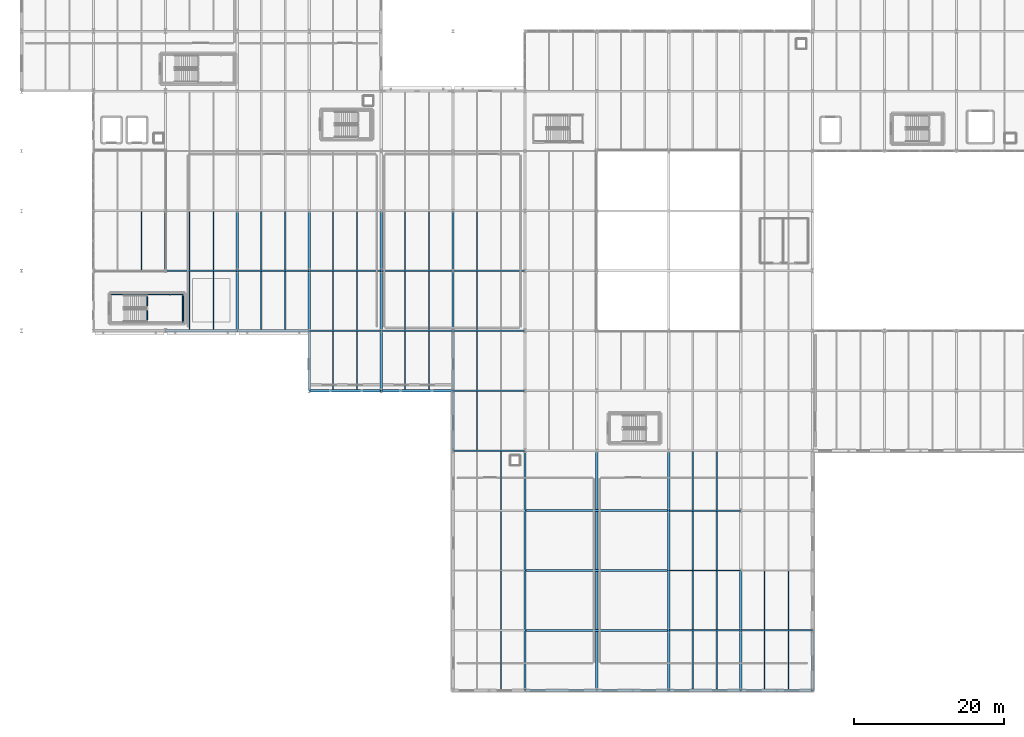
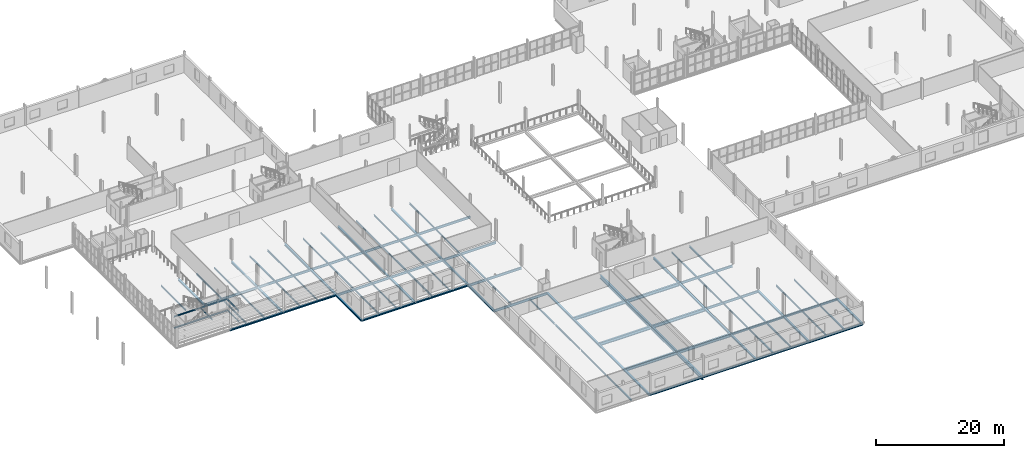
# One storey, part 32 of 78: 96 beams.
"""IFC4 building model written with IfcOpenShell, lengths in metres."""

from ifc_helpers import new_model, si_unit, direction, frame, origin, origin_2d, place, context, subcontext, project, spatial, i_section, extrude, material, material_profile, profile_set, type_object, element, save


model = new_model("IFC4")

# Units and contexts
model_context = context("Model", 3, precision=1e-05, world=origin(), true_north=direction((0.0, 1.0)))
body_context = subcontext(model_context, "Body", "Model", "MODEL_VIEW")
ifc_project = project(units=[si_unit("LENGTHUNIT", "METRE"), si_unit("AREAUNIT", "SQUARE_METRE"), si_unit("VOLUMEUNIT", "CUBIC_METRE"), si_unit("PLANEANGLEUNIT", "RADIAN"), si_unit("MASSUNIT", "GRAM", prefix="KILO")], contexts=[model_context])

# Site, building, storey
site_placement = place(None, origin())
site = spatial("IfcSite", under=ifc_project, at=site_placement, CompositionType="ELEMENT")
building_placement = place(site_placement, origin())
building = spatial("IfcBuilding", under=site, at=building_placement, Name="Alderhovde Museum", CompositionType="ELEMENT")
storey_placement = place(building_placement, frame((0.0, 0.0, 4.5)))
storey = spatial("IfcBuildingStorey", under=building, at=storey_placement, Name="L01", CompositionType="ELEMENT", Elevation=4.5)

# Beams
ifc_material_1 = material(Name="Steel S355J2", Category="steel")
ifc_material_profile_1 = material_profile(ifc_material_1, i_section(OverallWidth=0.300048828125, OverallDepth=0.330078125, WebThickness=0.009521484375, FlangeThickness=0.0166015625, FilletRadius=0.027099609375, at=origin_2d()), Name="HEA 340")
ifc_profile_set_1 = profile_set([ifc_material_profile_1], Name="Steel S355J2")
beam_type_1 = type_object("IfcBeamType", Name="BM-HEA340", PredefinedType="BEAM", material=ifc_profile_set_1)
for number, where, z_axis, x_axis, name in (
    (1, (28.800048828125, 56.0, -0.425048828125), (0.0, 1.0, 0.0), (-1.0, 0.0, 0.0), "L01 Grid Beam X=28.8 (56.0 TO 64.0)"),
    (2, (38.39990234375, 48.0, -0.425048828125), (0.0, 1.0, 0.0), (-1.0, 0.0, 0.0), "L01 Grid Beam X=38.4 (48.0 TO 56.0)"),
    (3, (38.39990234375, 56.0, -0.425048828125), (0.0, 1.0, 0.0), (-1.0, 0.0, 0.0), "L01 Grid Beam X=38.4 (56.0 TO 64.0)"),
    (4, (48.0, 40.0, -0.425048828125), (0.0, 1.0, 0.0), (-1.0, 0.0, 0.0), "L01 Grid Beam X=48.0 (40.0 TO 48.0)"),
    (5, (48.0, 48.0, -0.425048828125), (0.0, 1.0, 0.0), (-1.0, 0.0, 0.0), "L01 Grid Beam X=48.0 (48.0 TO 56.0)"),
    (6, (48.0, 56.0, -0.425048828125), (0.0, 1.0, 0.0), (-1.0, 0.0, 0.0), "L01 Grid Beam X=48.0 (56.0 TO 64.0)"),
    (7, (57.60009765625, 40.0, -0.425048828125), (0.0, 1.0, 0.0), (-1.0, 0.0, 0.0), "L01 Grid Beam X=57.6 (40.0 TO 48.0)"),
    (8, (57.60009765625, 48.0, -0.425048828125), (0.0, 1.0, 0.0), (-1.0, 0.0, 0.0), "L01 Grid Beam X=57.6 (48.0 TO 56.0)"),
    (9, (57.60009765625, 56.0, -0.425048828125), (0.0, 1.0, 0.0), (-1.0, 0.0, 0.0), "L01 Grid Beam X=57.6 (56.0 TO 64.0)"),
    (10, (67.199951171875, 32.0, -0.425048828125), (0.0, 1.0, 0.0), (-1.0, 0.0, 0.0), "L01 Grid Beam X=67.2 (32.0 TO 40.0)"),
    (11, (67.199951171875, 40.0, -0.425048828125), (0.0, 1.0, 0.0), (-1.0, 0.0, 0.0), "L01 Grid Beam X=67.2 (40.0 TO 48.0)"),
    (12, (67.199951171875, 48.0, -0.425048828125), (0.0, 1.0, 0.0), (-1.0, 0.0, 0.0), "L01 Grid Beam X=67.2 (48.0 TO 56.0)"),
    (13, (67.199951171875, 56.0, -0.425048828125), (0.0, 1.0, 0.0), (-1.0, 0.0, 0.0), "L01 Grid Beam X=67.2 (56.0 TO 64.0)"),
    (14, (76.800048828125, 0.0, -0.425048828125), (0.0, 1.0, 0.0), (-1.0, 0.0, 0.0), "L01 Grid Beam X=76.8 (0.0 TO 8.0)"),
    (15, (76.800048828125, 8.0, -0.425048828125), (0.0, 1.0, 0.0), (-1.0, 0.0, 0.0), "L01 Grid Beam X=76.8 (8.0 TO 16.0)"),
    (16, (76.800048828125, 16.0, -0.425048828125), (0.0, 1.0, 0.0), (-1.0, 0.0, 0.0), "L01 Grid Beam X=76.8 (16.0 TO 24.0)"),
    (17, (76.800048828125, 24.0, -0.425048828125), (0.0, 1.0, 0.0), (-1.0, 0.0, 0.0), "L01 Grid Beam X=76.8 (24.0 TO 32.0)"),
    (18, (96.0, 0.0, -0.425048828125), (0.0, 1.0, 0.0), (-1.0, 0.0, 0.0), "L01 Grid Beam X=96.0 (0.0 TO 8.0)"),
    (19, (96.0, 8.0, -0.425048828125), (0.0, 1.0, 0.0), (-1.0, 0.0, 0.0), "L01 Grid Beam X=96.0 (8.0 TO 16.0)"),
    (20, (96.0, 16.0, -0.425048828125), (0.0, 1.0, 0.0), (-1.0, 0.0, 0.0), "L01 Grid Beam X=96.0 (16.0 TO 24.0)"),
    (21, (96.0, 24.0, -0.425048828125), (0.0, 1.0, 0.0), (-1.0, 0.0, 0.0), "L01 Grid Beam X=96.0 (24.0 TO 32.0)"),
    (22, (105.60009765625, 0.0, -0.425048828125), (0.0, 1.0, 0.0), (-1.0, 0.0, 0.0), "L01 Grid Beam X=105.6 (0.0 TO 8.0)"),
    (23, (105.60009765625, 8.0, -0.425048828125), (0.0, 1.0, 0.0), (-1.0, 0.0, 0.0), "L01 Grid Beam X=105.6 (8.0 TO 16.0)"),
    (24, (115.199951171875, 0.0, -0.425048828125), (0.0, 1.0, 0.0), (-1.0, 0.0, 0.0), "L01 Grid Beam X=115.2 (0.0 TO 8.0)"),
):
    element("IfcBeam", number, at=place(storey_placement, frame(where, z_axis=z_axis, x_axis=x_axis)), inside=storey, type_object=beam_type_1, Name=name, PredefinedType="BEAM", context=body_context, shape_type="SweptSolid", body=[
        extrude(i_section(OverallWidth=0.300048828125, OverallDepth=0.330078125, WebThickness=0.009521484375, FlangeThickness=0.0166015625, FilletRadius=0.027099609375, at=origin_2d()), origin(), (0.0, 0.0, 1.0), 8.0),
    ])
ifc_material_2 = material(Name="Steel S355J2", Category="steel")
ifc_material_profile_2 = material_profile(ifc_material_2, i_section(OverallWidth=0.300048828125, OverallDepth=0.60009765625, WebThickness=0.015380859375, FlangeThickness=0.030029296875, FilletRadius=0.027099609375, at=origin_2d()), Name="HEB 600")
ifc_profile_set_2 = profile_set([ifc_material_profile_2], Name="Steel S355J2")
beam_type_2 = type_object("IfcBeamType", Name="BM-HEB600", PredefinedType="BEAM", material=ifc_profile_set_2)
for number, where, z_axis, x_axis, name in (
    (25, (76.800048828125, 8.0, -0.56005859375), (1.0, 0.0, 0.0), (0.0, 1.0, 0.0), "L01 Grid Beam Y=8.0 (76.8 TO 96.0)"),
    (26, (76.800048828125, 16.0, -0.56005859375), (1.0, 0.0, 0.0), (0.0, 1.0, 0.0), "L01 Grid Beam Y=16.0 (76.8 TO 96.0)"),
    (27, (76.800048828125, 24.0, -0.56005859375), (1.0, 0.0, 0.0), (0.0, 1.0, 0.0), "L01 Grid Beam Y=24.0 (76.8 TO 96.0)"),
):
    element("IfcBeam", number, at=place(storey_placement, frame(where, z_axis=z_axis, x_axis=x_axis)), inside=storey, type_object=beam_type_2, Name=name, PredefinedType="BEAM", context=body_context, shape_type="SweptSolid", body=[
        extrude(i_section(OverallWidth=0.300048828125, OverallDepth=0.60009765625, WebThickness=0.015380859375, FlangeThickness=0.030029296875, FilletRadius=0.027099609375, at=origin_2d()), origin(), (0.0, 0.0, 1.0), 19.199951171875),
    ])
ifc_material_3 = material(Name="Steel S355J2", Category="steel")
ifc_material_profile_3 = material_profile(ifc_material_3, i_section(OverallWidth=0.300048828125, OverallDepth=0.699951171875, WebThickness=0.01708984375, FlangeThickness=0.031982421875, FilletRadius=0.027099609375, at=origin_2d()), Name="HEB 700")
ifc_profile_set_3 = profile_set([ifc_material_profile_3], Name="Steel S355J2")
beam_type_3 = type_object("IfcBeamType", Name="BM-HEB700", PredefinedType="BEAM", material=ifc_profile_set_3)
beam_1_placement = place(storey_placement, frame((86.39990234375, 0.0, -0.610107421875), z_axis=(0.0, 1.0, 0.0), x_axis=(-1.0, 0.0, 0.0)))
element("IfcBeam", 28, at=beam_1_placement, inside=storey, type_object=beam_type_3, Name="L01 Grid Beam X=86.4 (0.0 TO 32.0)", PredefinedType="BEAM", context=body_context, shape_type="SweptSolid", body=[
    extrude(i_section(OverallWidth=0.300048828125, OverallDepth=0.699951171875, WebThickness=0.01708984375, FlangeThickness=0.031982421875, FilletRadius=0.027099609375, at=origin_2d()), origin(), (0.0, 0.0, 1.0), 32.0),
])
ifc_material_4 = material(Name="Steel S355J2", Category="steel")
ifc_material_profile_4 = material_profile(ifc_material_4, i_section(OverallWidth=0.1201171875, OverallDepth=0.239990234375, WebThickness=0.006103515625, FlangeThickness=0.009765625, FilletRadius=0.014892578125, at=origin_2d()), Name="IPE 240")
ifc_profile_set_4 = profile_set([ifc_material_profile_4], Name="Steel S355J2")
beam_type_4 = type_object("IfcBeamType", Name="BM-IPE240", PredefinedType="BEAM", material=ifc_profile_set_4)
beam_2_placement = place(storey_placement, frame((21.52001953125, 52.840087890625, -0.3798828125), z_axis=(1.0, 0.0, 0.0), x_axis=(0.0, 1.0, 0.0)))
element("IfcBeam", 29, at=beam_2_placement, inside=storey, type_object=beam_type_4, Name="L01 Stair ST1 Floor Trimmer N", PredefinedType="BEAM", context=body_context, shape_type="SweptSolid", body=[
    extrude(i_section(OverallWidth=0.1201171875, OverallDepth=0.239990234375, WebThickness=0.006103515625, FlangeThickness=0.009765625, FilletRadius=0.014892578125, at=origin_2d()), origin(), (0.0, 0.0, 1.0), 9.679931640625),
])
beam_3_placement = place(storey_placement, frame((31.199951171875, 49.1201171875, -0.3798828125), z_axis=(0.0, 1.0, 0.0), x_axis=(-1.0, 0.0, 0.0)))
element("IfcBeam", 30, at=beam_3_placement, inside=storey, type_object=beam_type_4, Name="L01 Stair ST1 Floor Trimmer E", PredefinedType="BEAM", context=body_context, shape_type="SweptSolid", body=[
    extrude(i_section(OverallWidth=0.1201171875, OverallDepth=0.239990234375, WebThickness=0.006103515625, FlangeThickness=0.009765625, FilletRadius=0.014892578125, at=origin_2d()), origin(), (0.0, 0.0, 1.0), 3.719970703125),
])
beam_4_placement = place(storey_placement, frame((21.52001953125, 52.840087890625, 1.780029296875), z_axis=(1.0, 0.0, 0.0), x_axis=(0.0, 1.0, 0.0)))
element("IfcBeam", 31, at=beam_4_placement, inside=storey, type_object=beam_type_4, Name="L01 Stair ST1 Landing 1 Beam N", PredefinedType="BEAM", context=body_context, shape_type="SweptSolid", body=[
    extrude(i_section(OverallWidth=0.1201171875, OverallDepth=0.239990234375, WebThickness=0.006103515625, FlangeThickness=0.009765625, FilletRadius=0.014892578125, at=origin_2d()), origin(), (0.0, 0.0, 1.0), 9.679931640625),
])
for number, where, z_axis, x_axis, name in (
    (32, (26.360107421875, 49.1201171875, 1.780029296875), (0.0, 1.0, 0.0), (-1.0, 0.0, 0.0), "L01 Stair ST1 Landing 1 Beam W"),
    (33, (31.1201171875, 49.1201171875, 1.780029296875), (0.0, 1.0, 0.0), (-1.0, 0.0, 0.0), "L01 Stair ST1 Landing 1 Beam E"),
):
    element("IfcBeam", number, at=place(storey_placement, frame(where, z_axis=z_axis, x_axis=x_axis)), inside=storey, type_object=beam_type_4, Name=name, PredefinedType="BEAM", context=body_context, shape_type="SweptSolid", body=[
        extrude(i_section(OverallWidth=0.1201171875, OverallDepth=0.239990234375, WebThickness=0.006103515625, FlangeThickness=0.009765625, FilletRadius=0.014892578125, at=origin_2d()), origin(), (0.0, 0.0, 1.0), 3.719970703125),
    ])
ifc_material_5 = material(Name="Steel S355J2", Category="steel")
ifc_material_profile_5 = material_profile(ifc_material_5, i_section(OverallWidth=0.18994140625, OverallDepth=0.449951171875, WebThickness=0.009521484375, FlangeThickness=0.0146484375, FilletRadius=0.02099609375, at=origin_2d()), Name="IPE 450")
ifc_profile_set_5 = profile_set([ifc_material_profile_5], Name="Steel S355J2")
beam_type_5 = type_object("IfcBeamType", Name="BM-IPE450", PredefinedType="BEAM", material=ifc_profile_set_5)
beam_5_placement = place(storey_placement, frame((96.0, 8.0, -0.485107421875), z_axis=(1.0, 0.0, 0.0), x_axis=(0.0, 1.0, 0.0)))
element("IfcBeam", 34, at=beam_5_placement, inside=storey, type_object=beam_type_5, Name="L01 Grid Beam Y=8.0 (96.0 TO 105.6)", PredefinedType="BEAM", context=body_context, shape_type="SweptSolid", body=[
    extrude(i_section(OverallWidth=0.18994140625, OverallDepth=0.449951171875, WebThickness=0.009521484375, FlangeThickness=0.0146484375, FilletRadius=0.02099609375, at=origin_2d()), origin(), (0.0, 0.0, 1.0), 9.60009765625),
])
beam_6_placement = place(storey_placement, frame((105.60009765625, 8.0, -0.485107421875), z_axis=(1.0, 0.0, 0.0), x_axis=(0.0, 1.0, 0.0)))
element("IfcBeam", 35, at=beam_6_placement, inside=storey, type_object=beam_type_5, Name="L01 Grid Beam Y=8.0 (105.6 TO 115.2)", PredefinedType="BEAM", context=body_context, shape_type="SweptSolid", body=[
    extrude(i_section(OverallWidth=0.18994140625, OverallDepth=0.449951171875, WebThickness=0.009521484375, FlangeThickness=0.0146484375, FilletRadius=0.02099609375, at=origin_2d()), origin(), (0.0, 0.0, 1.0), 9.599853515625),
])
for number, where, z_axis, x_axis, name in (
    (36, (96.0, 16.0, -0.485107421875), (1.0, 0.0, 0.0), (0.0, 1.0, 0.0), "L01 Grid Beam Y=16.0 (96.0 TO 105.6)"),
    (37, (96.0, 24.0, -0.485107421875), (1.0, 0.0, 0.0), (0.0, 1.0, 0.0), "L01 Grid Beam Y=24.0 (96.0 TO 105.6)"),
    (38, (67.199951171875, 32.0, -0.485107421875), (1.0, 0.0, 0.0), (0.0, 1.0, 0.0), "L01 Grid Beam Y=32.0 (67.2 TO 76.8)"),
    (39, (67.199951171875, 40.0, -0.485107421875), (1.0, 0.0, 0.0), (0.0, 1.0, 0.0), "L01 Grid Beam Y=40.0 (67.2 TO 76.8)"),
    (40, (48.0, 48.0, -0.485107421875), (1.0, 0.0, 0.0), (0.0, 1.0, 0.0), "L01 Grid Beam Y=48.0 (48.0 TO 57.6)"),
):
    element("IfcBeam", number, at=place(storey_placement, frame(where, z_axis=z_axis, x_axis=x_axis)), inside=storey, type_object=beam_type_5, Name=name, PredefinedType="BEAM", context=body_context, shape_type="SweptSolid", body=[
        extrude(i_section(OverallWidth=0.18994140625, OverallDepth=0.449951171875, WebThickness=0.009521484375, FlangeThickness=0.0146484375, FilletRadius=0.02099609375, at=origin_2d()), origin(), (0.0, 0.0, 1.0), 9.60009765625),
    ])
beam_7_placement = place(storey_placement, frame((57.60009765625, 48.0, -0.485107421875), z_axis=(1.0, 0.0, 0.0), x_axis=(0.0, 1.0, 0.0)))
element("IfcBeam", 41, at=beam_7_placement, inside=storey, type_object=beam_type_5, Name="L01 Grid Beam Y=48.0 (57.6 TO 67.2)", PredefinedType="BEAM", context=body_context, shape_type="SweptSolid", body=[
    extrude(i_section(OverallWidth=0.18994140625, OverallDepth=0.449951171875, WebThickness=0.009521484375, FlangeThickness=0.0146484375, FilletRadius=0.02099609375, at=origin_2d()), origin(), (0.0, 0.0, 1.0), 9.599853515625),
])
beam_8_placement = place(storey_placement, frame((67.199951171875, 48.0, -0.485107421875), z_axis=(1.0, 0.0, 0.0), x_axis=(0.0, 1.0, 0.0)))
element("IfcBeam", 42, at=beam_8_placement, inside=storey, type_object=beam_type_5, Name="L01 Grid Beam Y=48.0 (67.2 TO 76.8)", PredefinedType="BEAM", context=body_context, shape_type="SweptSolid", body=[
    extrude(i_section(OverallWidth=0.18994140625, OverallDepth=0.449951171875, WebThickness=0.009521484375, FlangeThickness=0.0146484375, FilletRadius=0.02099609375, at=origin_2d()), origin(), (0.0, 0.0, 1.0), 9.60009765625),
])
beam_9_placement = place(storey_placement, frame((28.800048828125, 56.0, -0.485107421875), z_axis=(1.0, 0.0, 0.0), x_axis=(0.0, 1.0, 0.0)))
element("IfcBeam", 43, at=beam_9_placement, inside=storey, type_object=beam_type_5, Name="L01 Grid Beam Y=56.0 (28.8 TO 38.4)", PredefinedType="BEAM", context=body_context, shape_type="SweptSolid", body=[
    extrude(i_section(OverallWidth=0.18994140625, OverallDepth=0.449951171875, WebThickness=0.009521484375, FlangeThickness=0.0146484375, FilletRadius=0.02099609375, at=origin_2d()), origin(), (0.0, 0.0, 1.0), 9.599853515625),
])
for number, where, z_axis, x_axis, name in (
    (44, (38.39990234375, 56.0, -0.485107421875), (1.0, 0.0, 0.0), (0.0, 1.0, 0.0), "L01 Grid Beam Y=56.0 (38.4 TO 48.0)"),
    (45, (48.0, 56.0, -0.485107421875), (1.0, 0.0, 0.0), (0.0, 1.0, 0.0), "L01 Grid Beam Y=56.0 (48.0 TO 57.6)"),
):
    element("IfcBeam", number, at=place(storey_placement, frame(where, z_axis=z_axis, x_axis=x_axis)), inside=storey, type_object=beam_type_5, Name=name, PredefinedType="BEAM", context=body_context, shape_type="SweptSolid", body=[
        extrude(i_section(OverallWidth=0.18994140625, OverallDepth=0.449951171875, WebThickness=0.009521484375, FlangeThickness=0.0146484375, FilletRadius=0.02099609375, at=origin_2d()), origin(), (0.0, 0.0, 1.0), 9.60009765625),
    ])
beam_10_placement = place(storey_placement, frame((57.60009765625, 56.0, -0.485107421875), z_axis=(1.0, 0.0, 0.0), x_axis=(0.0, 1.0, 0.0)))
element("IfcBeam", 46, at=beam_10_placement, inside=storey, type_object=beam_type_5, Name="L01 Grid Beam Y=56.0 (57.6 TO 67.2)", PredefinedType="BEAM", context=body_context, shape_type="SweptSolid", body=[
    extrude(i_section(OverallWidth=0.18994140625, OverallDepth=0.449951171875, WebThickness=0.009521484375, FlangeThickness=0.0146484375, FilletRadius=0.02099609375, at=origin_2d()), origin(), (0.0, 0.0, 1.0), 9.599853515625),
])
beam_11_placement = place(storey_placement, frame((67.199951171875, 56.0, -0.485107421875), z_axis=(1.0, 0.0, 0.0), x_axis=(0.0, 1.0, 0.0)))
element("IfcBeam", 47, at=beam_11_placement, inside=storey, type_object=beam_type_5, Name="L01 Grid Beam Y=56.0 (67.2 TO 76.8)", PredefinedType="BEAM", context=body_context, shape_type="SweptSolid", body=[
    extrude(i_section(OverallWidth=0.18994140625, OverallDepth=0.449951171875, WebThickness=0.009521484375, FlangeThickness=0.0146484375, FilletRadius=0.02099609375, at=origin_2d()), origin(), (0.0, 0.0, 1.0), 9.60009765625),
])
ifc_material_6 = material(Name="Steel S355J2", Category="steel")
ifc_material_profile_6 = material_profile(ifc_material_6, i_section(OverallWidth=0.14990234375, OverallDepth=0.300048828125, WebThickness=0.007080078125, FlangeThickness=0.0107421875, FilletRadius=0.014892578125, at=origin_2d()), Name="IPE 300")
ifc_profile_set_6 = profile_set([ifc_material_profile_6], Name="Steel S355J2")
beam_type_6 = type_object("IfcBeamType", Name="JST-IPE300", PredefinedType="JOIST", material=ifc_profile_set_6)
beam_12_placement = place(storey_placement, frame((25.60009765625, 56.094970703125, -0.409912109375), z_axis=(0.0, 1.0, 0.0), x_axis=(-1.0, 0.0, 0.0)))
element("IfcBeam", 48, at=beam_12_placement, inside=storey, type_object=beam_type_6, Name="L01 Composite Joist X=25.6 (56.0 TO 64.0)", PredefinedType="JOIST", context=body_context, shape_type="SweptSolid", body=[
    extrude(i_section(OverallWidth=0.14990234375, OverallDepth=0.300048828125, WebThickness=0.007080078125, FlangeThickness=0.0107421875, FilletRadius=0.014892578125, at=origin_2d()), origin(), (0.0, 0.0, 1.0), 7.81005859375),
])
for number, where, z_axis, x_axis, name in (
    (49, (32.0, 48.14990234375, -0.409912109375), (0.0, 1.0, 0.0), (-1.0, 0.0, 0.0), "L01 Composite Joist X=32.0 (48.0 TO 56.0)"),
    (50, (35.199951171875, 48.14990234375, -0.409912109375), (0.0, 1.0, 0.0), (-1.0, 0.0, 0.0), "L01 Composite Joist X=35.2 (48.0 TO 56.0)"),
):
    element("IfcBeam", number, at=place(storey_placement, frame(where, z_axis=z_axis, x_axis=x_axis)), inside=storey, type_object=beam_type_6, Name=name, PredefinedType="JOIST", context=body_context, shape_type="SweptSolid", body=[
        extrude(i_section(OverallWidth=0.14990234375, OverallDepth=0.300048828125, WebThickness=0.007080078125, FlangeThickness=0.0107421875, FilletRadius=0.014892578125, at=origin_2d()), origin(), (0.0, 0.0, 1.0), 7.755126953125),
    ])
for number, where, z_axis, x_axis, name in (
    (51, (32.0, 56.094970703125, -0.409912109375), (0.0, 1.0, 0.0), (-1.0, 0.0, 0.0), "L01 Composite Joist X=32.0 (56.0 TO 64.0)"),
    (52, (35.199951171875, 56.094970703125, -0.409912109375), (0.0, 1.0, 0.0), (-1.0, 0.0, 0.0), "L01 Composite Joist X=35.2 (56.0 TO 64.0)"),
):
    element("IfcBeam", number, at=place(storey_placement, frame(where, z_axis=z_axis, x_axis=x_axis)), inside=storey, type_object=beam_type_6, Name=name, PredefinedType="JOIST", context=body_context, shape_type="SweptSolid", body=[
        extrude(i_section(OverallWidth=0.14990234375, OverallDepth=0.300048828125, WebThickness=0.007080078125, FlangeThickness=0.0107421875, FilletRadius=0.014892578125, at=origin_2d()), origin(), (0.0, 0.0, 1.0), 7.81005859375),
    ])
for number, where, z_axis, x_axis, name in (
    (53, (41.60009765625, 48.14990234375, -0.409912109375), (0.0, 1.0, 0.0), (-1.0, 0.0, 0.0), "L01 Composite Joist X=41.6 (48.0 TO 56.0)"),
    (54, (44.800048828125, 48.14990234375, -0.409912109375), (0.0, 1.0, 0.0), (-1.0, 0.0, 0.0), "L01 Composite Joist X=44.8 (48.0 TO 56.0)"),
):
    element("IfcBeam", number, at=place(storey_placement, frame(where, z_axis=z_axis, x_axis=x_axis)), inside=storey, type_object=beam_type_6, Name=name, PredefinedType="JOIST", context=body_context, shape_type="SweptSolid", body=[
        extrude(i_section(OverallWidth=0.14990234375, OverallDepth=0.300048828125, WebThickness=0.007080078125, FlangeThickness=0.0107421875, FilletRadius=0.014892578125, at=origin_2d()), origin(), (0.0, 0.0, 1.0), 7.755126953125),
    ])
for number, where, z_axis, x_axis, name in (
    (55, (41.60009765625, 56.094970703125, -0.409912109375), (0.0, 1.0, 0.0), (-1.0, 0.0, 0.0), "L01 Composite Joist X=41.6 (56.0 TO 64.0)"),
    (56, (44.800048828125, 56.094970703125, -0.409912109375), (0.0, 1.0, 0.0), (-1.0, 0.0, 0.0), "L01 Composite Joist X=44.8 (56.0 TO 64.0)"),
):
    element("IfcBeam", number, at=place(storey_placement, frame(where, z_axis=z_axis, x_axis=x_axis)), inside=storey, type_object=beam_type_6, Name=name, PredefinedType="JOIST", context=body_context, shape_type="SweptSolid", body=[
        extrude(i_section(OverallWidth=0.14990234375, OverallDepth=0.300048828125, WebThickness=0.007080078125, FlangeThickness=0.0107421875, FilletRadius=0.014892578125, at=origin_2d()), origin(), (0.0, 0.0, 1.0), 7.81005859375),
    ])
for number, where, z_axis, x_axis, name in (
    (57, (51.199951171875, 40.14990234375, -0.409912109375), (0.0, 1.0, 0.0), (-1.0, 0.0, 0.0), "L01 Composite Joist X=51.2 (40.0 TO 48.0)"),
    (58, (54.39990234375, 40.14990234375, -0.409912109375), (0.0, 1.0, 0.0), (-1.0, 0.0, 0.0), "L01 Composite Joist X=54.4 (40.0 TO 48.0)"),
):
    element("IfcBeam", number, at=place(storey_placement, frame(where, z_axis=z_axis, x_axis=x_axis)), inside=storey, type_object=beam_type_6, Name=name, PredefinedType="JOIST", context=body_context, shape_type="SweptSolid", body=[
        extrude(i_section(OverallWidth=0.14990234375, OverallDepth=0.300048828125, WebThickness=0.007080078125, FlangeThickness=0.0107421875, FilletRadius=0.014892578125, at=origin_2d()), origin(), (0.0, 0.0, 1.0), 7.755126953125),
    ])
for number, where, z_axis, x_axis, name in (
    (59, (51.199951171875, 48.094970703125, -0.409912109375), (0.0, 1.0, 0.0), (-1.0, 0.0, 0.0), "L01 Composite Joist X=51.2 (48.0 TO 56.0)"),
    (60, (54.39990234375, 48.094970703125, -0.409912109375), (0.0, 1.0, 0.0), (-1.0, 0.0, 0.0), "L01 Composite Joist X=54.4 (48.0 TO 56.0)"),
    (61, (51.199951171875, 56.094970703125, -0.409912109375), (0.0, 1.0, 0.0), (-1.0, 0.0, 0.0), "L01 Composite Joist X=51.2 (56.0 TO 64.0)"),
    (62, (54.39990234375, 56.094970703125, -0.409912109375), (0.0, 1.0, 0.0), (-1.0, 0.0, 0.0), "L01 Composite Joist X=54.4 (56.0 TO 64.0)"),
):
    element("IfcBeam", number, at=place(storey_placement, frame(where, z_axis=z_axis, x_axis=x_axis)), inside=storey, type_object=beam_type_6, Name=name, PredefinedType="JOIST", context=body_context, shape_type="SweptSolid", body=[
        extrude(i_section(OverallWidth=0.14990234375, OverallDepth=0.300048828125, WebThickness=0.007080078125, FlangeThickness=0.0107421875, FilletRadius=0.014892578125, at=origin_2d()), origin(), (0.0, 0.0, 1.0), 7.81005859375),
    ])
for number, where, z_axis, x_axis, name in (
    (63, (60.800048828125, 40.14990234375, -0.409912109375), (0.0, 1.0, 0.0), (-1.0, 0.0, 0.0), "L01 Composite Joist X=60.8 (40.0 TO 48.0)"),
    (64, (64.0, 40.14990234375, -0.409912109375), (0.0, 1.0, 0.0), (-1.0, 0.0, 0.0), "L01 Composite Joist X=64.0 (40.0 TO 48.0)"),
):
    element("IfcBeam", number, at=place(storey_placement, frame(where, z_axis=z_axis, x_axis=x_axis)), inside=storey, type_object=beam_type_6, Name=name, PredefinedType="JOIST", context=body_context, shape_type="SweptSolid", body=[
        extrude(i_section(OverallWidth=0.14990234375, OverallDepth=0.300048828125, WebThickness=0.007080078125, FlangeThickness=0.0107421875, FilletRadius=0.014892578125, at=origin_2d()), origin(), (0.0, 0.0, 1.0), 7.755126953125),
    ])
for number, where, z_axis, x_axis, name in (
    (65, (60.800048828125, 48.094970703125, -0.409912109375), (0.0, 1.0, 0.0), (-1.0, 0.0, 0.0), "L01 Composite Joist X=60.8 (48.0 TO 56.0)"),
    (66, (64.0, 48.094970703125, -0.409912109375), (0.0, 1.0, 0.0), (-1.0, 0.0, 0.0), "L01 Composite Joist X=64.0 (48.0 TO 56.0)"),
    (67, (60.800048828125, 56.094970703125, -0.409912109375), (0.0, 1.0, 0.0), (-1.0, 0.0, 0.0), "L01 Composite Joist X=60.8 (56.0 TO 64.0)"),
    (68, (64.0, 56.094970703125, -0.409912109375), (0.0, 1.0, 0.0), (-1.0, 0.0, 0.0), "L01 Composite Joist X=64.0 (56.0 TO 64.0)"),
):
    element("IfcBeam", number, at=place(storey_placement, frame(where, z_axis=z_axis, x_axis=x_axis)), inside=storey, type_object=beam_type_6, Name=name, PredefinedType="JOIST", context=body_context, shape_type="SweptSolid", body=[
        extrude(i_section(OverallWidth=0.14990234375, OverallDepth=0.300048828125, WebThickness=0.007080078125, FlangeThickness=0.0107421875, FilletRadius=0.014892578125, at=origin_2d()), origin(), (0.0, 0.0, 1.0), 7.81005859375),
    ])
beam_13_placement = place(storey_placement, frame((73.60009765625, 0.14990234375, -0.409912109375), z_axis=(0.0, 1.0, 0.0), x_axis=(-1.0, 0.0, 0.0)))
element("IfcBeam", 69, at=beam_13_placement, inside=storey, type_object=beam_type_6, Name="L01 Composite Joist X=73.6 (0.0 TO 8.0)", PredefinedType="JOIST", context=body_context, shape_type="SweptSolid", body=[
    extrude(i_section(OverallWidth=0.14990234375, OverallDepth=0.300048828125, WebThickness=0.007080078125, FlangeThickness=0.0107421875, FilletRadius=0.014892578125, at=origin_2d()), origin(), (0.0, 0.0, 1.0), 7.755126953125),
])
for number, where, z_axis, x_axis, name in (
    (70, (73.60009765625, 8.094970703125, -0.409912109375), (0.0, 1.0, 0.0), (-1.0, 0.0, 0.0), "L01 Composite Joist X=73.6 (8.0 TO 16.0)"),
    (71, (73.60009765625, 16.094970703125, -0.409912109375), (0.0, 1.0, 0.0), (-1.0, 0.0, 0.0), "L01 Composite Joist X=73.6 (16.0 TO 24.0)"),
    (72, (73.60009765625, 24.094970703125, -0.409912109375), (0.0, 1.0, 0.0), (-1.0, 0.0, 0.0), "L01 Composite Joist X=73.6 (24.0 TO 32.0)"),
    (73, (70.39990234375, 32.094970703125, -0.409912109375), (0.0, 1.0, 0.0), (-1.0, 0.0, 0.0), "L01 Composite Joist X=70.4 (32.0 TO 40.0)"),
    (74, (70.39990234375, 40.094970703125, -0.409912109375), (0.0, 1.0, 0.0), (-1.0, 0.0, 0.0), "L01 Composite Joist X=70.4 (40.0 TO 48.0)"),
    (75, (70.39990234375, 48.094970703125, -0.409912109375), (0.0, 1.0, 0.0), (-1.0, 0.0, 0.0), "L01 Composite Joist X=70.4 (48.0 TO 56.0)"),
    (76, (70.39990234375, 56.094970703125, -0.409912109375), (0.0, 1.0, 0.0), (-1.0, 0.0, 0.0), "L01 Composite Joist X=70.4 (56.0 TO 64.0)"),
):
    element("IfcBeam", number, at=place(storey_placement, frame(where, z_axis=z_axis, x_axis=x_axis)), inside=storey, type_object=beam_type_6, Name=name, PredefinedType="JOIST", context=body_context, shape_type="SweptSolid", body=[
        extrude(i_section(OverallWidth=0.14990234375, OverallDepth=0.300048828125, WebThickness=0.007080078125, FlangeThickness=0.0107421875, FilletRadius=0.014892578125, at=origin_2d()), origin(), (0.0, 0.0, 1.0), 7.81005859375),
    ])
for number, where, z_axis, x_axis, name in (
    (77, (99.199951171875, 0.14990234375, -0.409912109375), (0.0, 1.0, 0.0), (-1.0, 0.0, 0.0), "L01 Composite Joist X=99.2 (0.0 TO 8.0)"),
    (78, (102.39990234375, 0.14990234375, -0.409912109375), (0.0, 1.0, 0.0), (-1.0, 0.0, 0.0), "L01 Composite Joist X=102.4 (0.0 TO 8.0)"),
):
    element("IfcBeam", number, at=place(storey_placement, frame(where, z_axis=z_axis, x_axis=x_axis)), inside=storey, type_object=beam_type_6, Name=name, PredefinedType="JOIST", context=body_context, shape_type="SweptSolid", body=[
        extrude(i_section(OverallWidth=0.14990234375, OverallDepth=0.300048828125, WebThickness=0.007080078125, FlangeThickness=0.0107421875, FilletRadius=0.014892578125, at=origin_2d()), origin(), (0.0, 0.0, 1.0), 7.755126953125),
    ])
for number, where, z_axis, x_axis, name in (
    (79, (99.199951171875, 8.094970703125, -0.409912109375), (0.0, 1.0, 0.0), (-1.0, 0.0, 0.0), "L01 Composite Joist X=99.2 (8.0 TO 16.0)"),
    (80, (102.39990234375, 8.094970703125, -0.409912109375), (0.0, 1.0, 0.0), (-1.0, 0.0, 0.0), "L01 Composite Joist X=102.4 (8.0 TO 16.0)"),
    (81, (99.199951171875, 16.094970703125, -0.409912109375), (0.0, 1.0, 0.0), (-1.0, 0.0, 0.0), "L01 Composite Joist X=99.2 (16.0 TO 24.0)"),
    (82, (102.39990234375, 16.094970703125, -0.409912109375), (0.0, 1.0, 0.0), (-1.0, 0.0, 0.0), "L01 Composite Joist X=102.4 (16.0 TO 24.0)"),
    (83, (99.199951171875, 24.094970703125, -0.409912109375), (0.0, 1.0, 0.0), (-1.0, 0.0, 0.0), "L01 Composite Joist X=99.2 (24.0 TO 32.0)"),
    (84, (102.39990234375, 24.094970703125, -0.409912109375), (0.0, 1.0, 0.0), (-1.0, 0.0, 0.0), "L01 Composite Joist X=102.4 (24.0 TO 32.0)"),
):
    element("IfcBeam", number, at=place(storey_placement, frame(where, z_axis=z_axis, x_axis=x_axis)), inside=storey, type_object=beam_type_6, Name=name, PredefinedType="JOIST", context=body_context, shape_type="SweptSolid", body=[
        extrude(i_section(OverallWidth=0.14990234375, OverallDepth=0.300048828125, WebThickness=0.007080078125, FlangeThickness=0.0107421875, FilletRadius=0.014892578125, at=origin_2d()), origin(), (0.0, 0.0, 1.0), 7.81005859375),
    ])
for number, where, z_axis, x_axis, name in (
    (85, (108.800048828125, 0.14990234375, -0.409912109375), (0.0, 1.0, 0.0), (-1.0, 0.0, 0.0), "L01 Composite Joist X=108.8 (0.0 TO 8.0)"),
    (86, (112.0, 0.14990234375, -0.409912109375), (0.0, 1.0, 0.0), (-1.0, 0.0, 0.0), "L01 Composite Joist X=112.0 (0.0 TO 8.0)"),
):
    element("IfcBeam", number, at=place(storey_placement, frame(where, z_axis=z_axis, x_axis=x_axis)), inside=storey, type_object=beam_type_6, Name=name, PredefinedType="JOIST", context=body_context, shape_type="SweptSolid", body=[
        extrude(i_section(OverallWidth=0.14990234375, OverallDepth=0.300048828125, WebThickness=0.007080078125, FlangeThickness=0.0107421875, FilletRadius=0.014892578125, at=origin_2d()), origin(), (0.0, 0.0, 1.0), 7.755126953125),
    ])
for number, where, z_axis, x_axis, name in (
    (87, (108.800048828125, 8.094970703125, -0.409912109375), (0.0, 1.0, 0.0), (-1.0, 0.0, 0.0), "L01 Composite Joist X=108.8 (8.0 TO 16.0)"),
    (88, (112.0, 8.094970703125, -0.409912109375), (0.0, 1.0, 0.0), (-1.0, 0.0, 0.0), "L01 Composite Joist X=112.0 (8.0 TO 16.0)"),
):
    element("IfcBeam", number, at=place(storey_placement, frame(where, z_axis=z_axis, x_axis=x_axis)), inside=storey, type_object=beam_type_6, Name=name, PredefinedType="JOIST", context=body_context, shape_type="SweptSolid", body=[
        extrude(i_section(OverallWidth=0.14990234375, OverallDepth=0.300048828125, WebThickness=0.007080078125, FlangeThickness=0.0107421875, FilletRadius=0.014892578125, at=origin_2d()), origin(), (0.0, 0.0, 1.0), 7.81005859375),
    ])
ifc_material_7 = material(Name="Steel S355J2", Category="steel")
ifc_material_profile_7 = material_profile(ifc_material_7, i_section(OverallWidth=0.300048828125, OverallDepth=0.2900390625, WebThickness=0.008544921875, FlangeThickness=0.013916015625, FilletRadius=0.027099609375, at=origin_2d()), Name="HEA 300")
ifc_profile_set_7 = profile_set([ifc_material_profile_7], Name="Steel S355J2")
beam_type_7 = type_object("IfcBeamType", Name="SPD-HEA300", PredefinedType="SPANDREL", material=ifc_profile_set_7)
beam_14_placement = place(storey_placement, frame((76.800048828125, 0.0, -0.405029296875), z_axis=(1.0, 0.0, 0.0), x_axis=(0.0, 1.0, 0.0)))
element("IfcBeam", 89, at=beam_14_placement, inside=storey, type_object=beam_type_7, Name="L01 Grid Beam Y=0.0 (76.8 TO 86.4)", PredefinedType="SPANDREL", context=body_context, shape_type="SweptSolid", body=[
    extrude(i_section(OverallWidth=0.300048828125, OverallDepth=0.2900390625, WebThickness=0.008544921875, FlangeThickness=0.013916015625, FilletRadius=0.027099609375, at=origin_2d()), origin(), (0.0, 0.0, 1.0), 9.599853515625),
])
for number, where, z_axis, x_axis, name in (
    (90, (86.39990234375, 0.0, -0.405029296875), (1.0, 0.0, 0.0), (0.0, 1.0, 0.0), "L01 Grid Beam Y=0.0 (86.4 TO 96.0)"),
    (91, (96.0, 0.0, -0.405029296875), (1.0, 0.0, 0.0), (0.0, 1.0, 0.0), "L01 Grid Beam Y=0.0 (96.0 TO 105.6)"),
):
    element("IfcBeam", number, at=place(storey_placement, frame(where, z_axis=z_axis, x_axis=x_axis)), inside=storey, type_object=beam_type_7, Name=name, PredefinedType="SPANDREL", context=body_context, shape_type="SweptSolid", body=[
        extrude(i_section(OverallWidth=0.300048828125, OverallDepth=0.2900390625, WebThickness=0.008544921875, FlangeThickness=0.013916015625, FilletRadius=0.027099609375, at=origin_2d()), origin(), (0.0, 0.0, 1.0), 9.60009765625),
    ])
beam_15_placement = place(storey_placement, frame((105.60009765625, 0.0, -0.405029296875), z_axis=(1.0, 0.0, 0.0), x_axis=(0.0, 1.0, 0.0)))
element("IfcBeam", 92, at=beam_15_placement, inside=storey, type_object=beam_type_7, Name="L01 Grid Beam Y=0.0 (105.6 TO 115.2)", PredefinedType="SPANDREL", context=body_context, shape_type="SweptSolid", body=[
    extrude(i_section(OverallWidth=0.300048828125, OverallDepth=0.2900390625, WebThickness=0.008544921875, FlangeThickness=0.013916015625, FilletRadius=0.027099609375, at=origin_2d()), origin(), (0.0, 0.0, 1.0), 9.599853515625),
])
beam_16_placement = place(storey_placement, frame((48.0, 40.0, -0.405029296875), z_axis=(1.0, 0.0, 0.0), x_axis=(0.0, 1.0, 0.0)))
element("IfcBeam", 93, at=beam_16_placement, inside=storey, type_object=beam_type_7, Name="L01 Grid Beam Y=40.0 (48.0 TO 57.6)", PredefinedType="SPANDREL", context=body_context, shape_type="SweptSolid", body=[
    extrude(i_section(OverallWidth=0.300048828125, OverallDepth=0.2900390625, WebThickness=0.008544921875, FlangeThickness=0.013916015625, FilletRadius=0.027099609375, at=origin_2d()), origin(), (0.0, 0.0, 1.0), 9.60009765625),
])
for number, where, z_axis, x_axis, name in (
    (94, (57.60009765625, 40.0, -0.405029296875), (1.0, 0.0, 0.0), (0.0, 1.0, 0.0), "L01 Grid Beam Y=40.0 (57.6 TO 67.2)"),
    (95, (28.800048828125, 48.0, -0.405029296875), (1.0, 0.0, 0.0), (0.0, 1.0, 0.0), "L01 Grid Beam Y=48.0 (28.8 TO 38.4)"),
):
    element("IfcBeam", number, at=place(storey_placement, frame(where, z_axis=z_axis, x_axis=x_axis)), inside=storey, type_object=beam_type_7, Name=name, PredefinedType="SPANDREL", context=body_context, shape_type="SweptSolid", body=[
        extrude(i_section(OverallWidth=0.300048828125, OverallDepth=0.2900390625, WebThickness=0.008544921875, FlangeThickness=0.013916015625, FilletRadius=0.027099609375, at=origin_2d()), origin(), (0.0, 0.0, 1.0), 9.599853515625),
    ])
beam_17_placement = place(storey_placement, frame((38.39990234375, 48.0, -0.405029296875), z_axis=(1.0, 0.0, 0.0), x_axis=(0.0, 1.0, 0.0)))
element("IfcBeam", 96, at=beam_17_placement, inside=storey, type_object=beam_type_7, Name="L01 Grid Beam Y=48.0 (38.4 TO 48.0)", PredefinedType="SPANDREL", context=body_context, shape_type="SweptSolid", body=[
    extrude(i_section(OverallWidth=0.300048828125, OverallDepth=0.2900390625, WebThickness=0.008544921875, FlangeThickness=0.013916015625, FilletRadius=0.027099609375, at=origin_2d()), origin(), (0.0, 0.0, 1.0), 9.60009765625),
])

save(model, "model.ifc")
